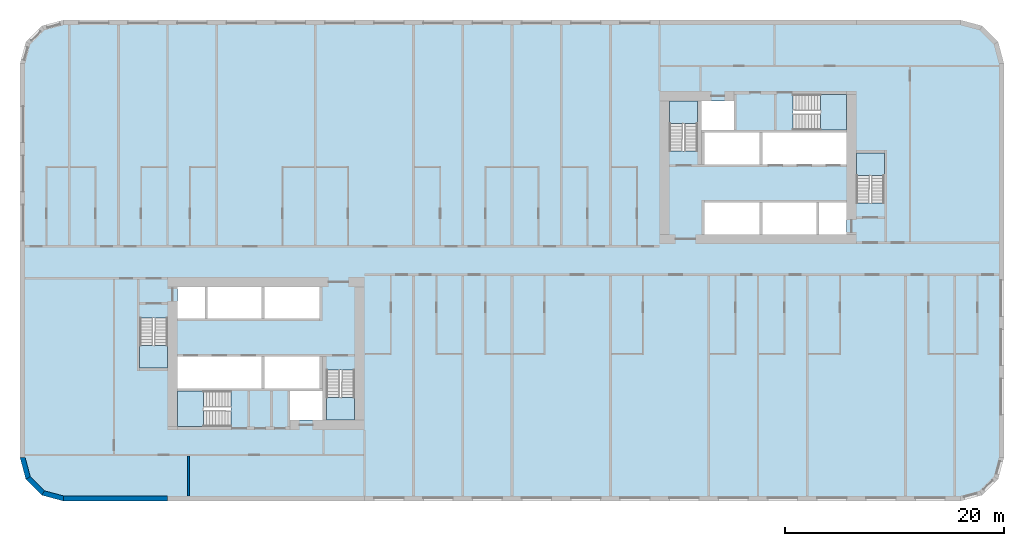
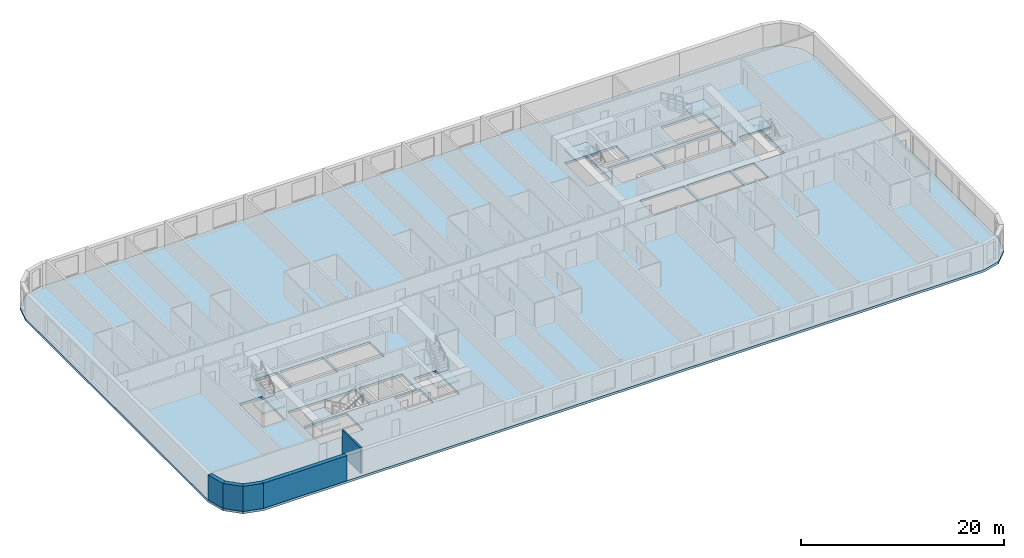
# One storey, part 1 of 12: 7 slabs, 5 walls, 6 elements without a shape of their own.
"""IFC4 building model written with IfcOpenShell, lengths in metres."""

from ifc_helpers import new_model, si_unit, direction, frame, frame_2d, origin, place, context, subcontext, project, spatial, polyline, rectangle, outline, extrude, material, layer, layer_set, type_object, element, aggregate, save


model = new_model("IFC4")

# Units and contexts
model_context = context("Model", 3, precision=1e-05, world=origin(), true_north=direction((0.0, 1.0)))
body_context = subcontext(model_context, "Body", "Model", "MODEL_VIEW")
ifc_project = project(units=[si_unit("LENGTHUNIT", "METRE"), si_unit("AREAUNIT", "SQUARE_METRE"), si_unit("VOLUMEUNIT", "CUBIC_METRE"), si_unit("PLANEANGLEUNIT", "RADIAN"), si_unit("MASSUNIT", "GRAM", prefix="KILO")], contexts=[model_context])

# Site, building, storey
site_placement = place(None, origin())
site = spatial("IfcSite", under=ifc_project, at=site_placement, CompositionType="ELEMENT")
building_placement = place(site_placement, origin())
building = spatial("IfcBuilding", under=site, at=building_placement, Name="Kajstack Hotel Tower", CompositionType="ELEMENT")
storey_placement = place(building_placement, frame((0.0, 0.0, 73.199951171875)))
storey = spatial("IfcBuildingStorey", under=building, at=storey_placement, Name="L13", CompositionType="ELEMENT", Elevation=73.199951171875)

# Slab
ifc_material_1 = material(Name="Concrete C40/50", Category="concrete")
ifc_layer_1 = layer(ifc_material_1, 0.280029296875)
ifc_layer_set_1 = layer_set([ifc_layer_1], Name="RC slab 280 C40/50 guest")
slab_type_1 = type_object("IfcSlabType", Name="RC slab 280 C40/50 guest", PredefinedType="FLOOR", material=ifc_layer_set_1)
slab_1_placement = place(storey_placement, frame((0.0, 0.0, -0.280029296875)))
element("IfcSlab", 1, at=slab_1_placement, inside=storey, type_object=slab_type_1, Name="S-slab-L13", PredefinedType="FLOOR", context=body_context, shape_type="SweptSolid", body=[
    extrude(outline(polyline([(-45.0, -18.0), (-44.464111328125, -20.0), (-43.0, -21.464111328125), (-41.0, -22.0), (41.0, -22.0), (43.0, -21.464111328125), (44.464111328125, -20.0), (45.0, -18.0), (45.0, 18.0), (44.464111328125, 20.0), (43.0, 21.464111328125), (41.0, 22.0), (-41.0, 22.0), (-43.0, 21.464111328125), (-44.464111328125, 20.0), (-45.0, 18.0), (-45.0, -18.0)]), holes=[polyline([(-30.60009765625, -11.699951171875), (-30.60009765625, -8.800048828125), (-22.89990234375, -8.800048828125), (-22.89990234375, -11.699951171875), (-30.60009765625, -11.699951171875)]), polyline([(-22.64990234375, -11.699951171875), (-22.64990234375, -8.800048828125), (-17.60009765625, -8.800048828125), (-17.60009765625, -11.699951171875), (-22.64990234375, -11.699951171875)]), polyline([(-27.85009765625, -5.300048828125), (-27.85009765625, -2.39990234375), (-22.89990234375, -2.39990234375), (-22.89990234375, -5.300048828125), (-27.85009765625, -5.300048828125)]), polyline([(-22.64990234375, -5.300048828125), (-22.64990234375, -2.39990234375), (-17.60009765625, -2.39990234375), (-17.60009765625, -5.300048828125), (-22.64990234375, -5.300048828125)]), polyline([(-20.300048828125, -14.60009765625), (-17.35009765625, -14.60009765625), (-17.35009765625, -11.949951171875), (-20.300048828125, -11.949951171875), (-20.300048828125, -14.60009765625)]), polyline([(-30.60009765625, -5.300048828125), (-28.10009765625, -5.300048828125), (-28.10009765625, -2.39990234375), (-30.60009765625, -2.39990234375), (-30.60009765625, -5.300048828125)]), polyline([(22.89990234375, 8.800048828125), (22.89990234375, 11.699951171875), (30.60009765625, 11.699951171875), (30.60009765625, 8.800048828125), (22.89990234375, 8.800048828125)]), polyline([(17.60009765625, 8.800048828125), (17.60009765625, 11.699951171875), (22.64990234375, 11.699951171875), (22.64990234375, 8.800048828125), (17.60009765625, 8.800048828125)]), polyline([(22.89990234375, 2.39990234375), (22.89990234375, 5.300048828125), (27.85009765625, 5.300048828125), (27.85009765625, 2.39990234375), (22.89990234375, 2.39990234375)]), polyline([(17.60009765625, 2.39990234375), (17.60009765625, 5.300048828125), (22.64990234375, 5.300048828125), (22.64990234375, 2.39990234375), (17.60009765625, 2.39990234375)]), polyline([(20.300048828125, 14.60009765625), (17.35009765625, 14.60009765625), (17.35009765625, 11.949951171875), (20.300048828125, 11.949951171875), (20.300048828125, 14.60009765625)]), polyline([(30.60009765625, 5.300048828125), (28.10009765625, 5.300048828125), (28.10009765625, 2.39990234375), (30.60009765625, 2.39990234375), (30.60009765625, 5.300048828125)]), polyline([(-34.050048828125, -9.85009765625), (-31.5, -9.85009765625), (-31.5, -5.25), (-34.050048828125, -5.25), (-34.050048828125, -9.85009765625)]), polyline([(-16.949951171875, -14.60009765625), (-14.39990234375, -14.60009765625), (-14.39990234375, -10.0), (-16.949951171875, -10.0), (-16.949951171875, -14.60009765625)]), polyline([(-30.60009765625, -15.199951171875), (-25.699951171875, -15.199951171875), (-25.699951171875, -11.949951171875), (-30.60009765625, -11.949951171875), (-30.60009765625, -15.199951171875)]), polyline([(34.050048828125, 9.85009765625), (31.5, 9.85009765625), (31.5, 5.25), (34.050048828125, 5.25), (34.050048828125, 9.85009765625)]), polyline([(16.949951171875, 14.60009765625), (14.39990234375, 14.60009765625), (14.39990234375, 10.0), (16.949951171875, 10.0), (16.949951171875, 14.60009765625)]), polyline([(30.60009765625, 15.199951171875), (25.699951171875, 15.199951171875), (25.699951171875, 11.949951171875), (30.60009765625, 11.949951171875), (30.60009765625, 15.199951171875)])]), origin(), (0.0, 0.0, 1.0), 0.280029296875),
])

# Stair, slab
stair_type_1 = type_object("IfcStairType", Name="Exit stair 1200", PredefinedType="HALF_TURN_STAIR", material=ifc_material_1)
stair_1_placement = place(storey_placement, origin())
stair_1 = element("IfcStair", 2, at=stair_1_placement, inside=storey, type_object=stair_type_1, Name="L13 stair W1", PredefinedType="HALF_TURN_STAIR")
ifc_layer_2 = layer(ifc_material_1, 0.199951171875)
ifc_layer_set_2 = layer_set([ifc_layer_2], Name="Stair landing 200")
slab_type_2 = type_object("IfcSlabType", Name="Stair landing 200", PredefinedType="LANDING", material=ifc_layer_set_2)
slab_2_placement = place(storey_placement, frame((0.0, 0.0, 1.449951171875)))
slab_2 = element("IfcSlab", 3, at=slab_2_placement, type_object=slab_type_2, Name="W1 landing 1", PredefinedType="LANDING", context=body_context, shape_type="SweptSolid", body=[
    extrude(outline(polyline([(-34.050048828125, -7.77001953125), (-34.050048828125, -9.85009765625), (-31.5, -9.85009765625), (-31.5, -7.77001953125), (-34.050048828125, -7.77001953125)])), origin(), (0.0, 0.0, 1.0), 0.2001953125),
])
aggregate(stair_1, [slab_2])

stair_2_placement = place(storey_placement, origin())
stair_2 = element("IfcStair", 4, at=stair_2_placement, inside=storey, type_object=stair_type_1, Name="L13 stair W2", PredefinedType="HALF_TURN_STAIR")
slab_3_placement = place(storey_placement, frame((0.0, 0.0, 1.449951171875)))
slab_3 = element("IfcSlab", 5, at=slab_3_placement, type_object=slab_type_2, Name="W2 landing 1", PredefinedType="LANDING", context=body_context, shape_type="SweptSolid", body=[
    extrude(outline(polyline([(-16.949951171875, -12.52001953125), (-16.949951171875, -14.60009765625), (-14.39990234375, -14.60009765625), (-14.39990234375, -12.52001953125), (-16.949951171875, -12.52001953125)])), origin(), (0.0, 0.0, 1.0), 0.2001953125),
])
aggregate(stair_2, [slab_3])

stair_type_2 = type_object("IfcStairType", Name="Exit stair 1500", PredefinedType="HALF_TURN_STAIR", material=ifc_material_1)
stair_3_placement = place(storey_placement, origin())
stair_3 = element("IfcStair", 6, at=stair_3_placement, inside=storey, type_object=stair_type_2, Name="L13 stair W3", PredefinedType="HALF_TURN_STAIR")
slab_4_placement = place(storey_placement, frame((0.0, 0.0, 1.449951171875)))
slab_4 = element("IfcSlab", 7, at=slab_4_placement, type_object=slab_type_2, Name="W3 landing 1", PredefinedType="LANDING", context=body_context, shape_type="SweptSolid", body=[
    extrude(outline(polyline([(-28.219970703125, -11.949951171875), (-30.60009765625, -11.949951171875), (-30.60009765625, -15.199951171875), (-28.219970703125, -15.199951171875), (-28.219970703125, -11.949951171875)])), origin(), (0.0, 0.0, 1.0), 0.2001953125),
])
aggregate(stair_3, [slab_4])

stair_4_placement = place(storey_placement, origin())
stair_4 = element("IfcStair", 8, at=stair_4_placement, inside=storey, type_object=stair_type_1, Name="L13 stair E1", PredefinedType="HALF_TURN_STAIR")
slab_5_placement = place(storey_placement, frame((0.0, 0.0, 1.449951171875)))
slab_5 = element("IfcSlab", 9, at=slab_5_placement, type_object=slab_type_2, Name="E1 landing 1", PredefinedType="LANDING", context=body_context, shape_type="SweptSolid", body=[
    extrude(outline(polyline([(34.050048828125, 7.77001953125), (34.050048828125, 9.85009765625), (31.5, 9.85009765625), (31.5, 7.77001953125), (34.050048828125, 7.77001953125)])), origin(), (0.0, 0.0, 1.0), 0.2001953125),
])
aggregate(stair_4, [slab_5])

stair_5_placement = place(storey_placement, origin())
stair_5 = element("IfcStair", 10, at=stair_5_placement, inside=storey, type_object=stair_type_1, Name="L13 stair E2", PredefinedType="HALF_TURN_STAIR")
slab_6_placement = place(storey_placement, frame((0.0, 0.0, 1.449951171875)))
slab_6 = element("IfcSlab", 11, at=slab_6_placement, type_object=slab_type_2, Name="E2 landing 1", PredefinedType="LANDING", context=body_context, shape_type="SweptSolid", body=[
    extrude(outline(polyline([(16.949951171875, 12.52001953125), (16.949951171875, 14.60009765625), (14.39990234375, 14.60009765625), (14.39990234375, 12.52001953125), (16.949951171875, 12.52001953125)])), origin(), (0.0, 0.0, 1.0), 0.2001953125),
])
aggregate(stair_5, [slab_6])

stair_6_placement = place(storey_placement, origin())
stair_6 = element("IfcStair", 12, at=stair_6_placement, inside=storey, type_object=stair_type_2, Name="L13 stair E3", PredefinedType="HALF_TURN_STAIR")
slab_7_placement = place(storey_placement, frame((0.0, 0.0, 1.449951171875)))
slab_7 = element("IfcSlab", 13, at=slab_7_placement, type_object=slab_type_2, Name="E3 landing 1", PredefinedType="LANDING", context=body_context, shape_type="SweptSolid", body=[
    extrude(outline(polyline([(28.219970703125, 11.949951171875), (30.60009765625, 11.949951171875), (30.60009765625, 15.199951171875), (28.219970703125, 15.199951171875), (28.219970703125, 11.949951171875)])), origin(), (0.0, 0.0, 1.0), 0.2001953125),
])
aggregate(stair_6, [slab_7])

# Walls
ifc_material_2 = material(Name="Terracotta-faced brick masonry", Category="masonry")
ifc_layer_3 = layer(ifc_material_2, 0.449951171875)
ifc_layer_set_3 = layer_set([ifc_layer_3], Name="EW-TERRA")
wall_type_1 = type_object("IfcWallType", Name="EW-TERRA", PredefinedType="SOLIDWALL", material=ifc_layer_set_3)
wall_1_placement = place(storey_placement, frame((-44.78271484375, -17.941650390625, 0.0), z_axis=(0.0, 0.0, 1.0), x_axis=(0.25881466832, -0.965926999034, 0.0)))
element("IfcWall", 14, at=wall_1_placement, inside=storey, type_object=wall_type_1, Name="E-wall-L13-00-00", PredefinedType="SOLIDWALL", context=body_context, shape_type="SweptSolid", body=[
    extrude(outline(polyline([(0.000244140625, -0.22509765625), (2.070556640625, -0.224853515625), (1.9501953125, 0.22509765625), (0.12060546875, 0.22509765625), (0.000244140625, -0.22509765625)])), origin(), (0.0, 0.0, 1.0), 3.02001953125),
])
wall_2_placement = place(storey_placement, frame((-44.304931640625, -19.8408203125, 0.0), z_axis=(0.0, 0.0, 1.0), x_axis=(0.707106781187, -0.707106781187, 0.0)))
element("IfcWall", 15, at=wall_2_placement, inside=storey, type_object=wall_type_1, Name="E-wall-L13-01-00", PredefinedType="SOLIDWALL", context=body_context, shape_type="SweptSolid", body=[
    extrude(outline(polyline([(0.0, -0.22509765625), (2.070556640625, -0.22509765625), (1.949951171875, 0.224853515625), (0.12060546875, 0.224853515625), (0.0, -0.22509765625)])), origin(), (0.0, 0.0, 1.0), 3.02001953125),
])
wall_3_placement = place(storey_placement, frame((-42.941650390625, -21.246826171875, 0.0), z_axis=(0.0, 0.0, 1.0), x_axis=(0.965926999034, -0.25881466832, 0.0)))
element("IfcWall", 16, at=wall_3_placement, inside=storey, type_object=wall_type_1, Name="E-wall-L13-02-00", PredefinedType="SOLIDWALL", context=body_context, shape_type="SweptSolid", body=[
    extrude(outline(polyline([(-0.000244140625, -0.224853515625), (2.0703125, -0.22509765625), (1.949951171875, 0.22509765625), (0.120361328125, 0.22509765625), (-0.000244140625, -0.224853515625)])), origin(), (0.0, 0.0, 1.0), 3.02001953125),
])
wall_4_placement = place(storey_placement, frame((-41.0, -21.77490234375, 0.0), z_axis=(0.0, 0.0, 1.0), x_axis=(1.0, 0.0, 0.0)))
element("IfcWall", 17, at=wall_4_placement, inside=storey, type_object=wall_type_1, Name="E-wall-L13-03-00", PredefinedType="SOLIDWALL", context=body_context, shape_type="SweptSolid", body=[
    extrude(rectangle(XDim=9.5, YDim=0.449951171875, at=frame_2d((4.75, 0.0))), origin(), (0.0, 0.0, 1.0), 3.02001953125),
])
ifc_material_3 = material(Name="Gypsum board on steel studs, mineral wool", Category="steel")
ifc_layer_4 = layer(ifc_material_3, 0.199951171875)
ifc_layer_set_4 = layer_set([ifc_layer_4], Name="Service partition 200")
wall_type_2 = type_object("IfcWallType", Name="Service partition 200", PredefinedType="PARTITIONING", material=ifc_layer_set_4)
wall_5_placement = place(storey_placement, frame((-29.60009765625, -21.550048828125, 0.0), z_axis=(0.0, 0.0, 1.0), x_axis=(0.0, 1.0, 0.0)))
element("IfcWall", 18, at=wall_5_placement, inside=storey, type_object=wall_type_2, Name="Partition W SLP0", PredefinedType="PARTITIONING", context=body_context, shape_type="SweptSolid", body=[
    extrude(rectangle(XDim=3.650146484375, YDim=0.199951171875, at=frame_2d((1.8251953125, 0.0))), origin(), (0.0, 0.0, 1.0), 3.02001953125),
])

save(model, "model.ifc")
